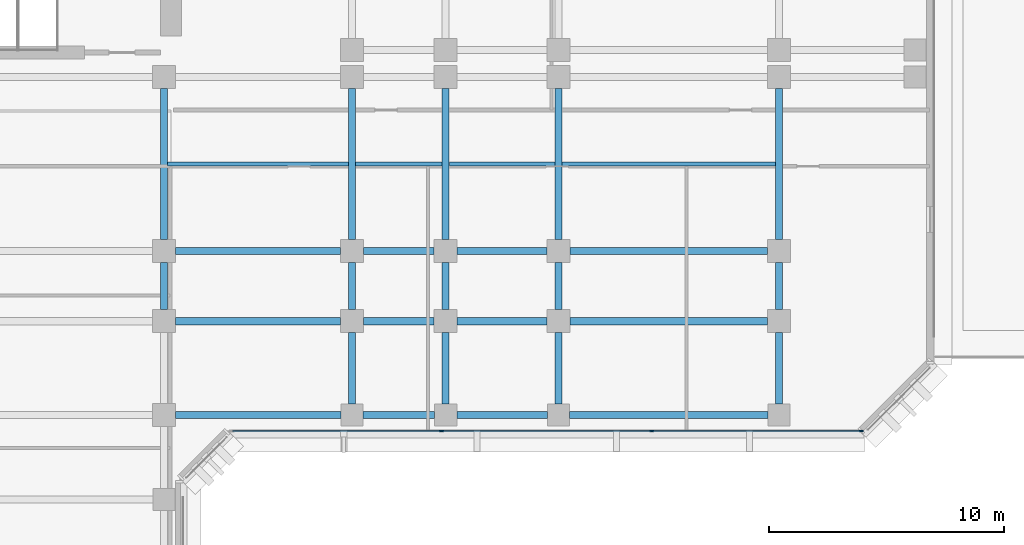
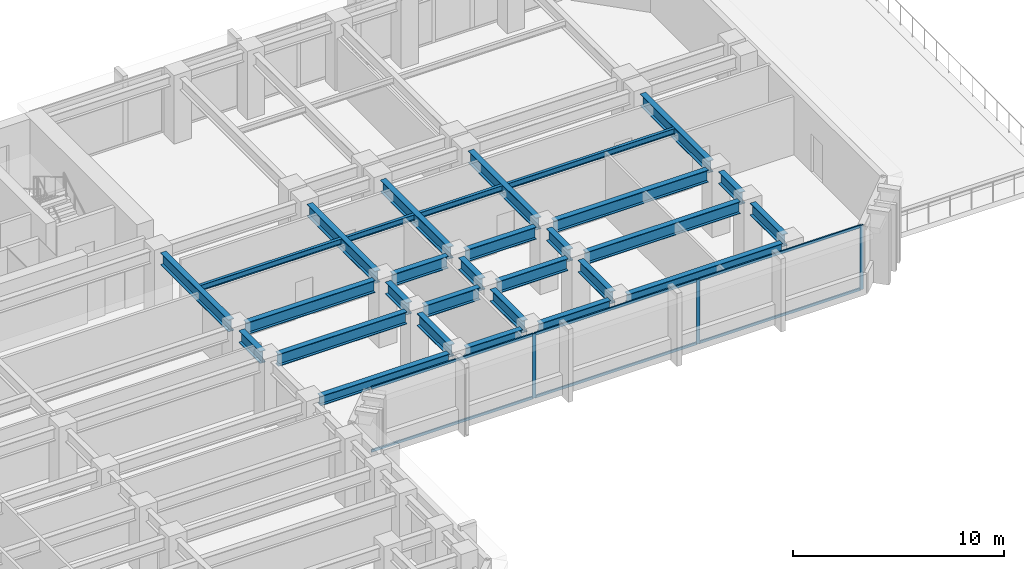
# One storey, part 3 of 13: 30 beams, 9 members, 1 element without a shape of its own.
"""IFC4 building model written with IfcOpenShell, lengths in metres."""

import ifcopenshell
import ifcopenshell.guid

model = None  # the IFC model being written
_history = None  # IfcOwnerHistory: only IFC2X3 demands one
_inside = {}  # id of a spatial element -> (the spatial element, [elements in it])
_under = {}  # id of a project, library or spatial element -> (it, [spatial elements below it])
_declared = {}  # id of a project -> (the project, [libraries it declares])
_typed = {}  # id of a type object -> (the type object, [elements of that type])
_made_of = {}  # id of a material, layer set ... -> (it, [elements and type objects made of it])


def new_model(schema):
    """Start an empty IFC model of exactly this schema.

    Asked for "IFC4X3", IfcOpenShell would pick the latest addendum, in which some entities
    have other attributes; the version numbers below select the first issue.
    IFC2X3 requires an IfcOwnerHistory on every rooted entity: one is made here for all.
    """
    global model, _history
    if schema == "IFC4X3":
        model = ifcopenshell.file(schema_version=(4, 3, 0, 0))
    else:
        model = ifcopenshell.file(schema=schema)
    _inside.clear()
    _under.clear()
    _declared.clear()
    _typed.clear()
    _made_of.clear()
    _history = None
    if model.schema == "IFC2X3":
        org = make("IfcOrganization", Name="unknown")
        user = make(
            "IfcPersonAndOrganization",
            ThePerson=make("IfcPerson", FamilyName="unknown"),
            TheOrganization=org,
        )
        app = make(
            "IfcApplication",
            ApplicationDeveloper=org,
            Version="unknown",
            ApplicationFullName="unknown",
            ApplicationIdentifier="unknown",
        )
        _history = make(
            "IfcOwnerHistory",
            OwningUser=user,
            OwningApplication=app,
            ChangeAction="ADDED",
            CreationDate=0,
        )
    return model


def make(cls, **values):
    """One entity of the class cls with the attributes given. An attribute that is None is left unset."""
    return model.create_entity(
        cls, **{name: value for name, value in values.items() if value is not None}
    )


def rooted(cls, **values):
    """An entity with a GlobalId (a new one), such as an element, a storey or a relation."""
    return make(cls, GlobalId=ifcopenshell.guid.new(), OwnerHistory=_history, **values)


def si_unit(unit_type, name, prefix=None):
    """IfcSIUnit, for example si_unit("LENGTHUNIT", "METRE", prefix="MILLI")."""
    return make("IfcSIUnit", UnitType=unit_type, Prefix=prefix, Name=name)


def assignment(units):
    """IfcUnitAssignment: the units of a project."""
    return None if units is None else make("IfcUnitAssignment", Units=units)


def point(xyz):
    """IfcCartesianPoint."""
    return None if xyz is None else make("IfcCartesianPoint", Coordinates=xyz)


def direction(xyz):
    """IfcDirection."""
    return None if xyz is None else make("IfcDirection", DirectionRatios=xyz)


def frame(location, z_axis=None, x_axis=None):
    """IfcAxis2Placement3D, a coordinate frame: its origin and axes. An axis left out is left unset."""
    return make(
        "IfcAxis2Placement3D",
        Location=point(location),
        Axis=direction(z_axis),
        RefDirection=direction(x_axis),
    )


def frame_2d(location, x_axis=None):
    """IfcAxis2Placement2D, a coordinate frame in the plane: its origin and x axis."""
    return make(
        "IfcAxis2Placement2D", Location=point(location), RefDirection=direction(x_axis)
    )


def origin():
    """The frame at (0, 0, 0) with its axes left unset."""
    return frame((0.0, 0.0, 0.0))


def origin_2d():
    """The frame at (0, 0) in the plane with its x axis left unset."""
    return frame_2d((0.0, 0.0))


def place(relative_to, where):
    """IfcLocalPlacement: puts the frame where relative to a parent placement (None: the world)."""
    return make(
        "IfcLocalPlacement", PlacementRelTo=relative_to, RelativePlacement=where
    )


def context(
    kind, dimensions, precision=None, world=None, true_north=None, identifier=None
):
    """IfcGeometricRepresentationContext, for example the 3D "Model" context."""
    return make(
        "IfcGeometricRepresentationContext",
        ContextIdentifier=identifier,
        ContextType=kind,
        CoordinateSpaceDimension=dimensions,
        Precision=precision,
        WorldCoordinateSystem=world,
        TrueNorth=true_north,
    )


def subcontext(parent, identifier, kind, view, scale=None):
    """IfcGeometricRepresentationSubContext, for example "Body" below "Model"."""
    return make(
        "IfcGeometricRepresentationSubContext",
        ContextIdentifier=identifier,
        ContextType=kind,
        ParentContext=parent,
        TargetScale=scale,
        TargetView=view,
    )


def project(units=None, contexts=None):
    """IfcProject with its units and contexts."""
    return rooted(
        "IfcProject",
        Name="project",
        RepresentationContexts=contexts,
        UnitsInContext=assignment(units),
    )


def spatial(cls, under=None, at=None, **own):
    """A site, building, storey or space (cls), placed at a placement, below another one or the project."""
    s = rooted(cls, ObjectPlacement=at, **own)
    if under is not None:
        _under.setdefault(under.id(), (under, []))[1].append(s)
    return s


def profile(cls, at=None, kind="AREA", **sizes):
    """A parametric profile (cls). Its sizes go by their IFC names, for example OverallWidth=200.0."""
    return make(cls, ProfileType=kind, Position=at, **sizes)


def rectangle(**sizes):
    """IfcRectangleProfileDef."""
    return profile("IfcRectangleProfileDef", **sizes)


def i_section(**sizes):
    """IfcIShapeProfileDef."""
    return profile("IfcIShapeProfileDef", **sizes)


def extrude(swept, where, along, depth):
    """IfcExtrudedAreaSolid: the profile swept, set in the frame where, extruded along a direction by depth."""
    return make(
        "IfcExtrudedAreaSolid",
        SweptArea=swept,
        Position=where,
        ExtrudedDirection=direction(along),
        Depth=depth,
    )


def shape(context_of_items, identifier, shape_type, items):
    """IfcShapeRepresentation: the items that make up one representation, for example the "Body"."""
    return make(
        "IfcShapeRepresentation",
        ContextOfItems=context_of_items,
        RepresentationIdentifier=identifier,
        RepresentationType=shape_type,
        Items=items,
    )


def material(Name=None, Category=None):
    """IfcMaterial."""
    return make("IfcMaterial", Name=Name, Category=Category)


def layer(
    of_material, thickness, ventilated=None, Name=None, Category=None, Priority=None
):
    """IfcMaterialLayer: one layer of a wall or slab, of a material (None: an air gap)."""
    return make(
        "IfcMaterialLayer",
        Material=of_material,
        LayerThickness=thickness,
        IsVentilated=ventilated,
        Name=Name,
        Category=Category,
        Priority=Priority,
    )


def layer_set(layers, Name=None):
    """IfcMaterialLayerSet."""
    return make("IfcMaterialLayerSet", MaterialLayers=layers, LayerSetName=Name)


def material_profile(
    of_material, cross_section, Name=None, Category=None, Priority=None
):
    """IfcMaterialProfile: a cross section and its material."""
    return make(
        "IfcMaterialProfile",
        Name=Name,
        Material=of_material,
        Profile=cross_section,
        Priority=Priority,
        Category=Category,
    )


def profile_set(profiles, Name=None, composite=None):
    """IfcMaterialProfileSet."""
    return make(
        "IfcMaterialProfileSet",
        Name=Name,
        MaterialProfiles=profiles,
        CompositeProfile=composite,
    )


def made_of(thing, what):
    """Note that an element or type object is made of a material, layer set ...; save() writes the relation."""
    if what is not None:
        _made_of.setdefault(what.id(), (what, []))[1].append(thing)
    return thing


def type_object(cls, material=None, **own):
    """A type object (cls), such as IfcWallType, which elements share."""
    return made_of(rooted(cls, **own), material)


def element(
    cls,
    number,
    at=None,
    inside=None,
    cuts=None,
    type_object=None,
    material=None,
    context=None,
    identifier="Body",
    shape_type=None,
    held_by="IfcProductDefinitionShape",
    body=None,
    shapes=None,
    **own,
):
    """One element of the class cls, such as IfcWall. Its Tag is "e" and its number.

    at: its placement. inside: the storey or other place that contains it. cuts: it is an
    opening in that element (IfcRelVoidsElement). A single representation is given by context,
    identifier, shape_type and body (its items); several are given by shapes. held_by: the class
    of the entity that holds the representations. save() writes the other relations.
    """
    e = rooted(cls, Tag="e%d" % number, ObjectPlacement=at, **own)
    if body is not None:
        shapes = [shape(context, identifier, shape_type, body)]
    if shapes is not None:
        e.Representation = make(held_by, Representations=shapes)
    if inside is not None:
        _inside.setdefault(inside.id(), (inside, []))[1].append(e)
    if cuts is not None:
        rooted(
            "IfcRelVoidsElement", RelatingBuildingElement=cuts, RelatedOpeningElement=e
        )
    if type_object is not None:
        _typed.setdefault(type_object.id(), (type_object, []))[1].append(e)
    return made_of(e, material)


def aggregate(whole, parts):
    """IfcRelAggregates: a whole, such as a stair, and the parts it consists of."""
    return rooted("IfcRelAggregates", RelatingObject=whole, RelatedObjects=parts)


def save(model, path):
    """Write the relations noted so far, then the file.

    IfcRelAggregates (storeys below a building ...), IfcRelContainedInSpatialStructure (elements
    in a storey), IfcRelDefinesByType, IfcRelAssociatesMaterial and IfcRelDeclares: one each for
    every whole, place, type object, material and project.
    """
    for whole, parts in _under.values():
        aggregate(whole, parts)
    for where, things in _inside.values():
        rooted(
            "IfcRelContainedInSpatialStructure",
            RelatedElements=things,
            RelatingStructure=where,
        )
    for kind, things in _typed.values():
        rooted("IfcRelDefinesByType", RelatedObjects=things, RelatingType=kind)
    for what, things in _made_of.values():
        rooted("IfcRelAssociatesMaterial", RelatedObjects=things, RelatingMaterial=what)
    for by, libraries in _declared.values():
        rooted("IfcRelDeclares", RelatingContext=by, RelatedDefinitions=libraries)
    model.write(path)


model = new_model("IFC4")

# Units and contexts
model_context = context("Model", 3, precision=1e-05, world=origin(), true_north=direction((0.0, 1.0)))
body_context = subcontext(model_context, "Body", "Model", "MODEL_VIEW")
ifc_project = project(units=[si_unit("LENGTHUNIT", "METRE"), si_unit("AREAUNIT", "SQUARE_METRE"), si_unit("VOLUMEUNIT", "CUBIC_METRE"), si_unit("PLANEANGLEUNIT", "RADIAN"), si_unit("MASSUNIT", "GRAM", prefix="KILO")], contexts=[model_context])

# Site, building, storey
site_placement = place(None, origin())
site = spatial("IfcSite", under=ifc_project, at=site_placement, CompositionType="ELEMENT")
building_placement = place(site_placement, origin())
building = spatial("IfcBuilding", under=site, at=building_placement, Name="Kefirva Bronze Tower", CompositionType="ELEMENT")
storey_placement = place(building_placement, frame((0.0, 0.0, 30.360107421875)))
storey = spatial("IfcBuildingStorey", under=building, at=storey_placement, Name="L06", CompositionType="ELEMENT", Elevation=30.360107421875)

# Curtain wall, members
ifc_material_1 = material(Name="Bronze anodised aluminium", Category="aluminium")
ifc_layer = layer(ifc_material_1, 0.199951171875, Name="Bronze anodised aluminium")
ifc_layer_set = layer_set([ifc_layer], Name="Bronze anodised aluminium")
curtain_wall_type = type_object("IfcCurtainWallType", Name="Unitised Bronze Ribbon Curtain Wall Zone 1", PredefinedType="USERDEFINED", material=ifc_layer_set)
curtain_wall_placement = place(storey_placement, origin())
curtain_wall = element("IfcCurtainWall", 1, at=curtain_wall_placement, inside=storey, type_object=curtain_wall_type, Name="L06 Curtain Wall 2", ObjectType="UNITISED CURTAIN WALL", PredefinedType="USERDEFINED")
ifc_material_profile_1 = material_profile(ifc_material_1, rectangle(XDim=0.074951171875, YDim=0.179931640625, at=origin_2d()), Name="ALU 75x180")
ifc_profile_set_1 = profile_set([ifc_material_profile_1], Name="Bronze anodised aluminium")
member_type_1 = type_object("IfcMemberType", Name="Bronze Mullion 75x180", PredefinedType="MULLION", material=ifc_profile_set_1)
member_1_placement = place(storey_placement, frame((35.018310546875, 18.1201171875, 0.0), z_axis=(0.0, 0.0, 1.0), x_axis=(0.0, 1.0, 0.0)))
member_1 = element("IfcMember", 2, at=member_1_placement, type_object=member_type_1, Name="CW-01 mullion 2", PredefinedType="MULLION", context=body_context, shape_type="SweptSolid", body=[
    extrude(rectangle(XDim=0.074951171875, YDim=0.179931640625, at=origin_2d()), origin(), (0.0, 0.0, 1.0), 3.7099609375),
])
member_2_placement = place(storey_placement, frame((43.981689453125, 18.1201171875, 0.0), z_axis=(0.0, 0.0, 1.0), x_axis=(0.0, 1.0, 0.0)))
member_2 = element("IfcMember", 3, at=member_2_placement, type_object=member_type_1, Name="CW-01 mullion 3", PredefinedType="MULLION", context=body_context, shape_type="SweptSolid", body=[
    extrude(rectangle(XDim=0.074951171875, YDim=0.179931640625, at=origin_2d()), origin(), (0.0, 0.0, 1.0), 3.7099609375),
])
member_3_placement = place(storey_placement, frame((52.907470703125, 18.1201171875, 0.0), z_axis=(0.0, 0.0, 1.0), x_axis=(0.0, 1.0, 0.0)))
member_3 = element("IfcMember", 4, at=member_3_placement, type_object=member_type_1, Name="CW-01 mullion 4", PredefinedType="MULLION", context=body_context, shape_type="SweptSolid", body=[
    extrude(rectangle(XDim=0.074951171875, YDim=0.179931640625, at=origin_2d()), origin(), (0.0, 0.0, 1.0), 3.7099609375),
])
ifc_material_profile_2 = material_profile(ifc_material_1, rectangle(XDim=0.074951171875, YDim=0.14990234375, at=origin_2d()), Name="ALU 75x150")
ifc_profile_set_2 = profile_set([ifc_material_profile_2], Name="Bronze anodised aluminium")
member_type_2 = type_object("IfcMemberType", Name="Bronze Transom 75x150", PredefinedType="USERDEFINED", material=ifc_profile_set_2)
member_4_placement = place(storey_placement, frame((26.1298828125, 18.1201171875, 0.037353515625), z_axis=(1.0, 0.0, 0.0), x_axis=(0.0, 1.0, 0.0)))
member_4 = element("IfcMember", 5, at=member_4_placement, type_object=member_type_2, Name="CW-01 transom 1.1", ObjectType="TRANSOM", PredefinedType="USERDEFINED", context=body_context, shape_type="SweptSolid", body=[
    extrude(rectangle(XDim=0.074951171875, YDim=0.14990234375, at=origin_2d()), origin(), (0.0, 0.0, 1.0), 8.850830078125),
])
member_5_placement = place(storey_placement, frame((26.1298828125, 18.1201171875, 3.67236328125), z_axis=(1.0, 0.0, 0.0), x_axis=(0.0, 1.0, 0.0)))
member_5 = element("IfcMember", 6, at=member_5_placement, type_object=member_type_2, Name="CW-01 transom 1.2", ObjectType="TRANSOM", PredefinedType="USERDEFINED", context=body_context, shape_type="SweptSolid", body=[
    extrude(rectangle(XDim=0.074951171875, YDim=0.14990234375, at=origin_2d()), origin(), (0.0, 0.0, 1.0), 8.850830078125),
])
member_6_placement = place(storey_placement, frame((35.055908203125, 18.1201171875, 0.037353515625), z_axis=(1.0, 0.0, 0.0), x_axis=(0.0, 1.0, 0.0)))
member_6 = element("IfcMember", 7, at=member_6_placement, type_object=member_type_2, Name="CW-01 transom 2.1", ObjectType="TRANSOM", PredefinedType="USERDEFINED", context=body_context, shape_type="SweptSolid", body=[
    extrude(rectangle(XDim=0.074951171875, YDim=0.14990234375, at=origin_2d()), origin(), (0.0, 0.0, 1.0), 8.88818359375),
])
member_7_placement = place(storey_placement, frame((35.055908203125, 18.1201171875, 3.67236328125), z_axis=(1.0, 0.0, 0.0), x_axis=(0.0, 1.0, 0.0)))
member_7 = element("IfcMember", 8, at=member_7_placement, type_object=member_type_2, Name="CW-01 transom 2.2", ObjectType="TRANSOM", PredefinedType="USERDEFINED", context=body_context, shape_type="SweptSolid", body=[
    extrude(rectangle(XDim=0.074951171875, YDim=0.14990234375, at=origin_2d()), origin(), (0.0, 0.0, 1.0), 8.88818359375),
])
member_8_placement = place(storey_placement, frame((44.019287109375, 18.1201171875, 0.037353515625), z_axis=(1.0, 0.0, 0.0), x_axis=(0.0, 1.0, 0.0)))
member_8 = element("IfcMember", 9, at=member_8_placement, type_object=member_type_2, Name="CW-01 transom 3.1", ObjectType="TRANSOM", PredefinedType="USERDEFINED", context=body_context, shape_type="SweptSolid", body=[
    extrude(rectangle(XDim=0.074951171875, YDim=0.14990234375, at=origin_2d()), origin(), (0.0, 0.0, 1.0), 8.850830078125),
])
member_9_placement = place(storey_placement, frame((44.019287109375, 18.1201171875, 3.67236328125), z_axis=(1.0, 0.0, 0.0), x_axis=(0.0, 1.0, 0.0)))
member_9 = element("IfcMember", 10, at=member_9_placement, type_object=member_type_2, Name="CW-01 transom 3.2", ObjectType="TRANSOM", PredefinedType="USERDEFINED", context=body_context, shape_type="SweptSolid", body=[
    extrude(rectangle(XDim=0.074951171875, YDim=0.14990234375, at=origin_2d()), origin(), (0.0, 0.0, 1.0), 8.850830078125),
])
aggregate(curtain_wall, [member_1, member_2, member_3, member_4, member_5, member_6, member_7, member_8, member_9])

# Beams
ifc_material_2 = material(Name="Steel S355", Category="steel")
ifc_material_profile_3 = material_profile(ifc_material_2, i_section(OverallWidth=0.159912109375, OverallDepth=0.330078125, WebThickness=0.007568359375, FlangeThickness=0.011474609375, at=origin_2d()), Name="IPE 330")
ifc_profile_set_3 = profile_set([ifc_material_profile_3], Name="Steel S355")
beam_type_1 = type_object("IfcBeamType", Name="Steel Floor Joist IPE 330", PredefinedType="JOIST", material=ifc_profile_set_3)
beam_1_placement = place(storey_placement, frame((23.35009765625, 29.5, 3.544921875), z_axis=(1.0, 0.0, 0.0), x_axis=(0.0, 1.0, 0.0)))
element("IfcBeam", 11, at=beam_1_placement, inside=storey, type_object=beam_type_1, Name="L06 JST-L06-23-295", PredefinedType="JOIST", context=body_context, shape_type="SweptSolid", body=[
    extrude(i_section(OverallWidth=0.159912109375, OverallDepth=0.330078125, WebThickness=0.007568359375, FlangeThickness=0.011474609375, at=origin_2d()), origin(), (0.0, 0.0, 1.0), 7.699951171875),
])
beam_2_placement = place(storey_placement, frame((31.35009765625, 29.5, 3.544921875), z_axis=(1.0, 0.0, 0.0), x_axis=(0.0, 1.0, 0.0)))
element("IfcBeam", 12, at=beam_2_placement, inside=storey, type_object=beam_type_1, Name="L06 JST-L06-31-295", PredefinedType="JOIST", context=body_context, shape_type="SweptSolid", body=[
    extrude(i_section(OverallWidth=0.159912109375, OverallDepth=0.330078125, WebThickness=0.007568359375, FlangeThickness=0.011474609375, at=origin_2d()), origin(), (0.0, 0.0, 1.0), 3.699951171875),
])
beam_3_placement = place(storey_placement, frame((35.35009765625, 29.5, 3.544921875), z_axis=(1.0, 0.0, 0.0), x_axis=(0.0, 1.0, 0.0)))
element("IfcBeam", 13, at=beam_3_placement, inside=storey, type_object=beam_type_1, Name="L06 JST-L06-35-295", PredefinedType="JOIST", context=body_context, shape_type="SweptSolid", body=[
    extrude(i_section(OverallWidth=0.159912109375, OverallDepth=0.330078125, WebThickness=0.007568359375, FlangeThickness=0.011474609375, at=origin_2d()), origin(), (0.0, 0.0, 1.0), 4.5),
])
beam_4_placement = place(storey_placement, frame((40.14990234375, 29.5, 3.544921875), z_axis=(1.0, 0.0, 0.0), x_axis=(0.0, 1.0, 0.0)))
element("IfcBeam", 14, at=beam_4_placement, inside=storey, type_object=beam_type_1, Name="L06 JST-L06-40-295", PredefinedType="JOIST", context=body_context, shape_type="SweptSolid", body=[
    extrude(i_section(OverallWidth=0.159912109375, OverallDepth=0.330078125, WebThickness=0.007568359375, FlangeThickness=0.011474609375, at=origin_2d()), origin(), (0.0, 0.0, 1.0), 9.10009765625),
])
ifc_material_profile_4 = material_profile(ifc_material_2, i_section(OverallWidth=0.300048828125, OverallDepth=0.699951171875, WebThickness=0.01708984375, FlangeThickness=0.031982421875, at=origin_2d()), Name="HEB 700")
ifc_profile_set_4 = profile_set([ifc_material_profile_4], Name="Steel S355")
beam_type_2 = type_object("IfcBeamType", Name="Steel Girder HEB 700", PredefinedType="USERDEFINED", material=ifc_profile_set_4)
beam_5_placement = place(storey_placement, frame((23.68994140625, 22.800048828125, 3.35986328125), z_axis=(1.0, 0.0, 0.0), x_axis=(0.0, 1.0, 0.0)))
element("IfcBeam", 15, at=beam_5_placement, inside=storey, type_object=beam_type_2, Name="L06 BM-L06-EW-23-228", ObjectType="GIRDER", PredefinedType="USERDEFINED", context=body_context, shape_type="SweptSolid", body=[
    extrude(i_section(OverallWidth=0.300048828125, OverallDepth=0.699951171875, WebThickness=0.01708984375, FlangeThickness=0.031982421875, at=origin_2d()), origin(), (0.0, 0.0, 1.0), 7.02001953125),
])
beam_6_placement = place(storey_placement, frame((31.68994140625, 22.800048828125, 3.35986328125), z_axis=(1.0, 0.0, 0.0), x_axis=(0.0, 1.0, 0.0)))
element("IfcBeam", 16, at=beam_6_placement, inside=storey, type_object=beam_type_2, Name="L06 BM-L06-EW-31-228", ObjectType="GIRDER", PredefinedType="USERDEFINED", context=body_context, shape_type="SweptSolid", body=[
    extrude(i_section(OverallWidth=0.300048828125, OverallDepth=0.699951171875, WebThickness=0.01708984375, FlangeThickness=0.031982421875, at=origin_2d()), origin(), (0.0, 0.0, 1.0), 3.02001953125),
])
beam_7_placement = place(storey_placement, frame((35.68994140625, 22.800048828125, 3.35986328125), z_axis=(1.0, 0.0, 0.0), x_axis=(0.0, 1.0, 0.0)))
element("IfcBeam", 17, at=beam_7_placement, inside=storey, type_object=beam_type_2, Name="L06 BM-L06-EW-35-228", ObjectType="GIRDER", PredefinedType="USERDEFINED", context=body_context, shape_type="SweptSolid", body=[
    extrude(i_section(OverallWidth=0.300048828125, OverallDepth=0.699951171875, WebThickness=0.01708984375, FlangeThickness=0.031982421875, at=origin_2d()), origin(), (0.0, 0.0, 1.0), 3.820068359375),
])
beam_8_placement = place(storey_placement, frame((40.489990234375, 22.800048828125, 3.35986328125), z_axis=(1.0, 0.0, 0.0), x_axis=(0.0, 1.0, 0.0)))
element("IfcBeam", 18, at=beam_8_placement, inside=storey, type_object=beam_type_2, Name="L06 BM-L06-EW-40-228", ObjectType="GIRDER", PredefinedType="USERDEFINED", context=body_context, shape_type="SweptSolid", body=[
    extrude(i_section(OverallWidth=0.300048828125, OverallDepth=0.699951171875, WebThickness=0.01708984375, FlangeThickness=0.031982421875, at=origin_2d()), origin(), (0.0, 0.0, 1.0), 8.419921875),
])
beam_9_placement = place(storey_placement, frame((23.68994140625, 25.800048828125, 3.35986328125), z_axis=(1.0, 0.0, 0.0), x_axis=(0.0, 1.0, 0.0)))
element("IfcBeam", 19, at=beam_9_placement, inside=storey, type_object=beam_type_2, Name="L06 BM-L06-EW-23-258", ObjectType="GIRDER", PredefinedType="USERDEFINED", context=body_context, shape_type="SweptSolid", body=[
    extrude(i_section(OverallWidth=0.300048828125, OverallDepth=0.699951171875, WebThickness=0.01708984375, FlangeThickness=0.031982421875, at=origin_2d()), origin(), (0.0, 0.0, 1.0), 7.02001953125),
])
beam_10_placement = place(storey_placement, frame((31.68994140625, 25.800048828125, 3.35986328125), z_axis=(1.0, 0.0, 0.0), x_axis=(0.0, 1.0, 0.0)))
element("IfcBeam", 20, at=beam_10_placement, inside=storey, type_object=beam_type_2, Name="L06 BM-L06-EW-31-258", ObjectType="GIRDER", PredefinedType="USERDEFINED", context=body_context, shape_type="SweptSolid", body=[
    extrude(i_section(OverallWidth=0.300048828125, OverallDepth=0.699951171875, WebThickness=0.01708984375, FlangeThickness=0.031982421875, at=origin_2d()), origin(), (0.0, 0.0, 1.0), 3.02001953125),
])
beam_11_placement = place(storey_placement, frame((35.68994140625, 25.800048828125, 3.35986328125), z_axis=(1.0, 0.0, 0.0), x_axis=(0.0, 1.0, 0.0)))
element("IfcBeam", 21, at=beam_11_placement, inside=storey, type_object=beam_type_2, Name="L06 BM-L06-EW-35-258", ObjectType="GIRDER", PredefinedType="USERDEFINED", context=body_context, shape_type="SweptSolid", body=[
    extrude(i_section(OverallWidth=0.300048828125, OverallDepth=0.699951171875, WebThickness=0.01708984375, FlangeThickness=0.031982421875, at=origin_2d()), origin(), (0.0, 0.0, 1.0), 3.820068359375),
])
beam_12_placement = place(storey_placement, frame((40.489990234375, 25.800048828125, 3.35986328125), z_axis=(1.0, 0.0, 0.0), x_axis=(0.0, 1.0, 0.0)))
element("IfcBeam", 22, at=beam_12_placement, inside=storey, type_object=beam_type_2, Name="L06 BM-L06-EW-40-258", ObjectType="GIRDER", PredefinedType="USERDEFINED", context=body_context, shape_type="SweptSolid", body=[
    extrude(i_section(OverallWidth=0.300048828125, OverallDepth=0.699951171875, WebThickness=0.01708984375, FlangeThickness=0.031982421875, at=origin_2d()), origin(), (0.0, 0.0, 1.0), 8.419921875),
])
beam_13_placement = place(storey_placement, frame((23.199951171875, 23.2900390625, 3.35986328125), z_axis=(0.0, 1.0, 0.0), x_axis=(-1.0, 0.0, 0.0)))
element("IfcBeam", 23, at=beam_13_placement, inside=storey, type_object=beam_type_2, Name="L06 BM-L06-NS-232-22", ObjectType="GIRDER", PredefinedType="USERDEFINED", context=body_context, shape_type="SweptSolid", body=[
    extrude(i_section(OverallWidth=0.300048828125, OverallDepth=0.699951171875, WebThickness=0.01708984375, FlangeThickness=0.031982421875, at=origin_2d()), origin(), (0.0, 0.0, 1.0), 2.02001953125),
])
beam_14_placement = place(storey_placement, frame((23.199951171875, 26.2900390625, 3.35986328125), z_axis=(0.0, 1.0, 0.0), x_axis=(-1.0, 0.0, 0.0)))
element("IfcBeam", 24, at=beam_14_placement, inside=storey, type_object=beam_type_2, Name="L06 BM-L06-NS-232-25", ObjectType="GIRDER", PredefinedType="USERDEFINED", context=body_context, shape_type="SweptSolid", body=[
    extrude(i_section(OverallWidth=0.300048828125, OverallDepth=0.699951171875, WebThickness=0.01708984375, FlangeThickness=0.031982421875, at=origin_2d()), origin(), (0.0, 0.0, 1.0), 6.419921875),
])
beam_15_placement = place(storey_placement, frame((31.199951171875, 19.27001953125, 3.35986328125), z_axis=(0.0, 1.0, 0.0), x_axis=(-1.0, 0.0, 0.0)))
element("IfcBeam", 25, at=beam_15_placement, inside=storey, type_object=beam_type_2, Name="L06 BM-L06-NS-312-18", ObjectType="GIRDER", PredefinedType="USERDEFINED", context=body_context, shape_type="SweptSolid", body=[
    extrude(i_section(OverallWidth=0.300048828125, OverallDepth=0.699951171875, WebThickness=0.01708984375, FlangeThickness=0.031982421875, at=origin_2d()), origin(), (0.0, 0.0, 1.0), 3.0400390625),
])
beam_16_placement = place(storey_placement, frame((31.199951171875, 23.2900390625, 3.35986328125), z_axis=(0.0, 1.0, 0.0), x_axis=(-1.0, 0.0, 0.0)))
element("IfcBeam", 26, at=beam_16_placement, inside=storey, type_object=beam_type_2, Name="L06 BM-L06-NS-312-22", ObjectType="GIRDER", PredefinedType="USERDEFINED", context=body_context, shape_type="SweptSolid", body=[
    extrude(i_section(OverallWidth=0.300048828125, OverallDepth=0.699951171875, WebThickness=0.01708984375, FlangeThickness=0.031982421875, at=origin_2d()), origin(), (0.0, 0.0, 1.0), 2.02001953125),
])
beam_17_placement = place(storey_placement, frame((31.199951171875, 26.2900390625, 3.35986328125), z_axis=(0.0, 1.0, 0.0), x_axis=(-1.0, 0.0, 0.0)))
element("IfcBeam", 27, at=beam_17_placement, inside=storey, type_object=beam_type_2, Name="L06 BM-L06-NS-312-25", ObjectType="GIRDER", PredefinedType="USERDEFINED", context=body_context, shape_type="SweptSolid", body=[
    extrude(i_section(OverallWidth=0.300048828125, OverallDepth=0.699951171875, WebThickness=0.01708984375, FlangeThickness=0.031982421875, at=origin_2d()), origin(), (0.0, 0.0, 1.0), 6.419921875),
])
beam_18_placement = place(storey_placement, frame((35.199951171875, 19.27001953125, 3.35986328125), z_axis=(0.0, 1.0, 0.0), x_axis=(-1.0, 0.0, 0.0)))
element("IfcBeam", 28, at=beam_18_placement, inside=storey, type_object=beam_type_2, Name="L06 BM-L06-NS-352-18", ObjectType="GIRDER", PredefinedType="USERDEFINED", context=body_context, shape_type="SweptSolid", body=[
    extrude(i_section(OverallWidth=0.300048828125, OverallDepth=0.699951171875, WebThickness=0.01708984375, FlangeThickness=0.031982421875, at=origin_2d()), origin(), (0.0, 0.0, 1.0), 3.0400390625),
])
beam_19_placement = place(storey_placement, frame((35.199951171875, 23.2900390625, 3.35986328125), z_axis=(0.0, 1.0, 0.0), x_axis=(-1.0, 0.0, 0.0)))
element("IfcBeam", 29, at=beam_19_placement, inside=storey, type_object=beam_type_2, Name="L06 BM-L06-NS-352-22", ObjectType="GIRDER", PredefinedType="USERDEFINED", context=body_context, shape_type="SweptSolid", body=[
    extrude(i_section(OverallWidth=0.300048828125, OverallDepth=0.699951171875, WebThickness=0.01708984375, FlangeThickness=0.031982421875, at=origin_2d()), origin(), (0.0, 0.0, 1.0), 2.02001953125),
])
beam_20_placement = place(storey_placement, frame((35.199951171875, 26.2900390625, 3.35986328125), z_axis=(0.0, 1.0, 0.0), x_axis=(-1.0, 0.0, 0.0)))
element("IfcBeam", 30, at=beam_20_placement, inside=storey, type_object=beam_type_2, Name="L06 BM-L06-NS-352-25", ObjectType="GIRDER", PredefinedType="USERDEFINED", context=body_context, shape_type="SweptSolid", body=[
    extrude(i_section(OverallWidth=0.300048828125, OverallDepth=0.699951171875, WebThickness=0.01708984375, FlangeThickness=0.031982421875, at=origin_2d()), origin(), (0.0, 0.0, 1.0), 6.419921875),
])
beam_21_placement = place(storey_placement, frame((40.0, 19.27001953125, 3.35986328125), z_axis=(0.0, 1.0, 0.0), x_axis=(-1.0, 0.0, 0.0)))
element("IfcBeam", 31, at=beam_21_placement, inside=storey, type_object=beam_type_2, Name="L06 BM-L06-NS-400-18", ObjectType="GIRDER", PredefinedType="USERDEFINED", context=body_context, shape_type="SweptSolid", body=[
    extrude(i_section(OverallWidth=0.300048828125, OverallDepth=0.699951171875, WebThickness=0.01708984375, FlangeThickness=0.031982421875, at=origin_2d()), origin(), (0.0, 0.0, 1.0), 3.0400390625),
])
beam_22_placement = place(storey_placement, frame((40.0, 23.2900390625, 3.35986328125), z_axis=(0.0, 1.0, 0.0), x_axis=(-1.0, 0.0, 0.0)))
element("IfcBeam", 32, at=beam_22_placement, inside=storey, type_object=beam_type_2, Name="L06 BM-L06-NS-400-22", ObjectType="GIRDER", PredefinedType="USERDEFINED", context=body_context, shape_type="SweptSolid", body=[
    extrude(i_section(OverallWidth=0.300048828125, OverallDepth=0.699951171875, WebThickness=0.01708984375, FlangeThickness=0.031982421875, at=origin_2d()), origin(), (0.0, 0.0, 1.0), 2.02001953125),
])
beam_23_placement = place(storey_placement, frame((40.0, 26.2900390625, 3.35986328125), z_axis=(0.0, 1.0, 0.0), x_axis=(-1.0, 0.0, 0.0)))
element("IfcBeam", 33, at=beam_23_placement, inside=storey, type_object=beam_type_2, Name="L06 BM-L06-NS-400-25", ObjectType="GIRDER", PredefinedType="USERDEFINED", context=body_context, shape_type="SweptSolid", body=[
    extrude(i_section(OverallWidth=0.300048828125, OverallDepth=0.699951171875, WebThickness=0.01708984375, FlangeThickness=0.031982421875, at=origin_2d()), origin(), (0.0, 0.0, 1.0), 6.419921875),
])
beam_24_placement = place(storey_placement, frame((49.39990234375, 19.27001953125, 3.35986328125), z_axis=(0.0, 1.0, 0.0), x_axis=(-1.0, 0.0, 0.0)))
element("IfcBeam", 34, at=beam_24_placement, inside=storey, type_object=beam_type_2, Name="L06 BM-L06-NS-494-18", ObjectType="GIRDER", PredefinedType="USERDEFINED", context=body_context, shape_type="SweptSolid", body=[
    extrude(i_section(OverallWidth=0.300048828125, OverallDepth=0.699951171875, WebThickness=0.01708984375, FlangeThickness=0.031982421875, at=origin_2d()), origin(), (0.0, 0.0, 1.0), 3.0400390625),
])
beam_25_placement = place(storey_placement, frame((49.39990234375, 23.2900390625, 3.35986328125), z_axis=(0.0, 1.0, 0.0), x_axis=(-1.0, 0.0, 0.0)))
element("IfcBeam", 35, at=beam_25_placement, inside=storey, type_object=beam_type_2, Name="L06 BM-L06-NS-494-22", ObjectType="GIRDER", PredefinedType="USERDEFINED", context=body_context, shape_type="SweptSolid", body=[
    extrude(i_section(OverallWidth=0.300048828125, OverallDepth=0.699951171875, WebThickness=0.01708984375, FlangeThickness=0.031982421875, at=origin_2d()), origin(), (0.0, 0.0, 1.0), 2.02001953125),
])
beam_26_placement = place(storey_placement, frame((49.39990234375, 26.2900390625, 3.35986328125), z_axis=(0.0, 1.0, 0.0), x_axis=(-1.0, 0.0, 0.0)))
element("IfcBeam", 36, at=beam_26_placement, inside=storey, type_object=beam_type_2, Name="L06 BM-L06-NS-494-25", ObjectType="GIRDER", PredefinedType="USERDEFINED", context=body_context, shape_type="SweptSolid", body=[
    extrude(i_section(OverallWidth=0.300048828125, OverallDepth=0.699951171875, WebThickness=0.01708984375, FlangeThickness=0.031982421875, at=origin_2d()), origin(), (0.0, 0.0, 1.0), 6.419921875),
])
ifc_material_profile_5 = material_profile(ifc_material_2, i_section(OverallWidth=0.300048828125, OverallDepth=0.550048828125, WebThickness=0.014892578125, FlangeThickness=0.029052734375, at=origin_2d()), Name="HEB 550")
ifc_profile_set_5 = profile_set([ifc_material_profile_5], Name="Steel S355")
beam_type_3 = type_object("IfcBeamType", Name="Steel Spandrel HEB 550 Ext", PredefinedType="SPANDREL", material=ifc_profile_set_5)
beam_27_placement = place(storey_placement, frame((23.68994140625, 18.800048828125, 3.434814453125), z_axis=(1.0, 0.0, 0.0), x_axis=(0.0, 1.0, 0.0)))
element("IfcBeam", 37, at=beam_27_placement, inside=storey, type_object=beam_type_3, Name="L06 BM-L06-EW-23-188", PredefinedType="SPANDREL", context=body_context, shape_type="SweptSolid", body=[
    extrude(i_section(OverallWidth=0.300048828125, OverallDepth=0.550048828125, WebThickness=0.014892578125, FlangeThickness=0.029052734375, at=origin_2d()), origin(), (0.0, 0.0, 1.0), 7.0400390625),
])
beam_28_placement = place(storey_placement, frame((31.669921875, 18.800048828125, 3.434814453125), z_axis=(1.0, 0.0, 0.0), x_axis=(0.0, 1.0, 0.0)))
element("IfcBeam", 38, at=beam_28_placement, inside=storey, type_object=beam_type_3, Name="L06 BM-L06-EW-31-188", PredefinedType="SPANDREL", context=body_context, shape_type="SweptSolid", body=[
    extrude(i_section(OverallWidth=0.300048828125, OverallDepth=0.550048828125, WebThickness=0.014892578125, FlangeThickness=0.029052734375, at=origin_2d()), origin(), (0.0, 0.0, 1.0), 3.06005859375),
])
beam_29_placement = place(storey_placement, frame((35.669921875, 18.800048828125, 3.434814453125), z_axis=(1.0, 0.0, 0.0), x_axis=(0.0, 1.0, 0.0)))
element("IfcBeam", 39, at=beam_29_placement, inside=storey, type_object=beam_type_3, Name="L06 BM-L06-EW-35-188", PredefinedType="SPANDREL", context=body_context, shape_type="SweptSolid", body=[
    extrude(i_section(OverallWidth=0.300048828125, OverallDepth=0.550048828125, WebThickness=0.014892578125, FlangeThickness=0.029052734375, at=origin_2d()), origin(), (0.0, 0.0, 1.0), 3.860107421875),
])
beam_30_placement = place(storey_placement, frame((40.469970703125, 18.800048828125, 3.434814453125), z_axis=(1.0, 0.0, 0.0), x_axis=(0.0, 1.0, 0.0)))
element("IfcBeam", 40, at=beam_30_placement, inside=storey, type_object=beam_type_3, Name="L06 BM-L06-EW-40-188", PredefinedType="SPANDREL", context=body_context, shape_type="SweptSolid", body=[
    extrude(i_section(OverallWidth=0.300048828125, OverallDepth=0.550048828125, WebThickness=0.014892578125, FlangeThickness=0.029052734375, at=origin_2d()), origin(), (0.0, 0.0, 1.0), 8.4599609375),
])

save(model, "model.ifc")
